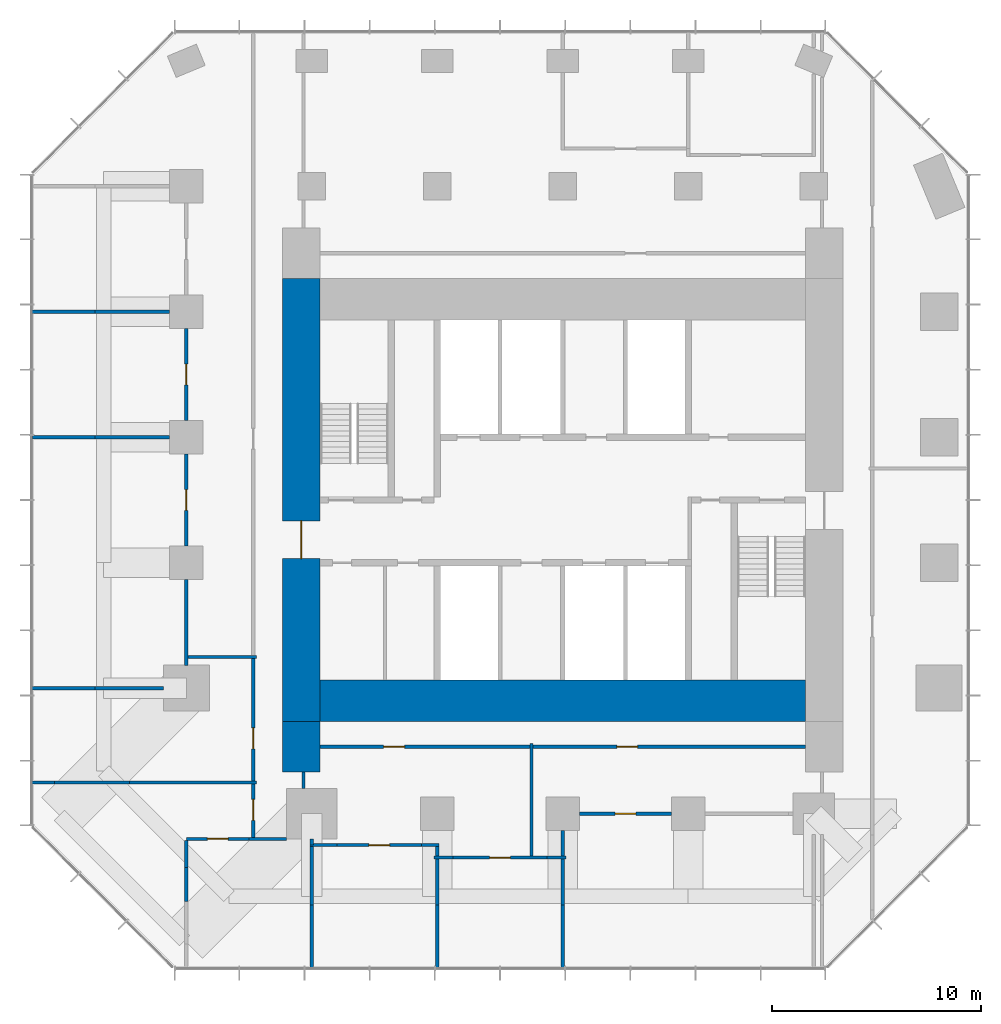
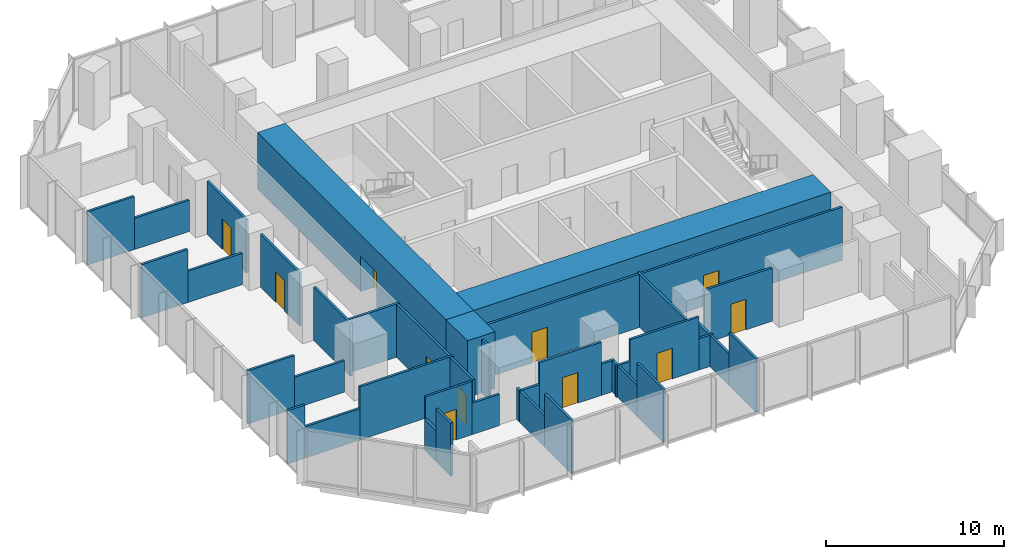
# One storey, part 8 of 11: 42 walls, 11 doors, 11 openings.
"""IFC4 building model written with IfcOpenShell, lengths in metres."""

from ifc_helpers import new_model, si_unit, direction, frame, frame_2d, origin, place, context, subcontext, project, spatial, rectangle, extrude, material, layer, layer_set, type_object, element, fill, save


model = new_model("IFC4")

# Units and contexts
model_context = context("Model", 3, precision=1e-05, world=origin(), true_north=direction((0.0, 1.0)))
body_context = subcontext(model_context, "Body", "Model", "MODEL_VIEW")
ifc_project = project(units=[si_unit("LENGTHUNIT", "METRE"), si_unit("AREAUNIT", "SQUARE_METRE"), si_unit("VOLUMEUNIT", "CUBIC_METRE"), si_unit("PLANEANGLEUNIT", "RADIAN"), si_unit("MASSUNIT", "GRAM", prefix="KILO")], contexts=[model_context])

# Site, building, storey
site_placement = place(None, origin())
site = spatial("IfcSite", under=ifc_project, at=site_placement, CompositionType="ELEMENT")
building_placement = place(site_placement, origin())
building = spatial("IfcBuilding", under=site, at=building_placement, Name="Highveld Stack Headquarters", CompositionType="ELEMENT")
storey_placement = place(building_placement, frame((0.0, 0.0, 235.699951171875)))
storey = spatial("IfcBuildingStorey", under=building, at=storey_placement, Name="L58", CompositionType="ELEMENT", Elevation=235.699951171875)

# Wall, opening, door
ifc_material_1 = material(Name="Concrete C60/75", Category="concrete")
ifc_layer_1 = layer(ifc_material_1, 1.800048828125)
ifc_layer_set_1 = layer_set([ifc_layer_1], Name="Concrete C60/75")
wall_type_1 = type_object("IfcWallType", Name="CORE WALL 1800 C60/75", PredefinedType="SHEAR", material=ifc_layer_set_1)
wall_1_placement = place(storey_placement, frame((-6.5, -7.60009765625, 0.0), z_axis=(0.0, 0.0, 1.0), x_axis=(0.0, 1.0, 0.0)))
wall_1 = element("IfcWall", 1, at=wall_1_placement, inside=storey, type_object=wall_type_1, Name="Core wall W L58", PredefinedType="SHEAR", context=body_context, shape_type="SweptSolid", body=[
    extrude(rectangle(XDim=21.2001953125, YDim=1.800048828125, at=frame_2d((10.60009765625, 0.0))), origin(), (0.0, 0.0, 1.0), 3.900146484375),
])
opening_1_placement = place(wall_1_placement, frame((7.800048828125, 0.0, 0.0)))
opening_1 = element("IfcOpeningElement", 2, at=opening_1_placement, cuts=wall_1, Name="Opening L58-01", PredefinedType="OPENING", context=body_context, shape_type="SweptSolid", body=[
    extrude(rectangle(XDim=1.800048828125, YDim=2.39990234375, at=frame_2d((0.89990234375, 1.199951171875))), frame((0.0, 0.909912109375, 0.0), z_axis=(0.0, -1.0, 0.0), x_axis=(1.0, 0.0, 0.0)), (0.0, 0.0, 1.0), 1.820068359375),
])
ifc_material_2 = material(Name="Steel fire door", Category="steel")
door_type_1 = type_object("IfcDoorType", Name="LOBBY FIRE DOOR D4 1800x2400", OperationType="DOUBLE_DOOR_SINGLE_SWING", PredefinedType="DOOR", material=ifc_material_2)
door_1_placement = place(opening_1_placement, origin())
door_1 = element("IfcDoor", 3, at=door_1_placement, inside=storey, type_object=door_type_1, Name="Core west door L58", OperationType="DOUBLE_DOOR_SINGLE_SWING", OverallHeight=2.39990234375, OverallWidth=1.800048828125, PredefinedType="DOOR", context=body_context, shape_type="SweptSolid", body=[
    extrude(rectangle(XDim=1.800048828125, YDim=2.39990234375, at=frame_2d((0.89990234375, 1.199951171875))), frame((0.0, 0.02490234375, 0.0), z_axis=(0.0, -1.0, 0.0), x_axis=(1.0, 0.0, 0.0)), (0.0, 0.0, 1.0), 0.050048828125),
])
fill(opening_1, door_1)

# Walls
ifc_material_3 = material(Name="Concrete C60/75", Category="concrete")
ifc_layer_2 = layer(ifc_material_3, 2.0)
ifc_layer_set_2 = layer_set([ifc_layer_2], Name="Concrete C60/75")
wall_type_2 = type_object("IfcWallType", Name="CORE WALL 2000 C60/75", PredefinedType="SHEAR", material=ifc_layer_set_2)
wall_2_placement = place(storey_placement, frame((-5.60009765625, -6.60009765625, 0.0), z_axis=(0.0, 0.0, 1.0), x_axis=(1.0, 0.0, 0.0)))
element("IfcWall", 4, at=wall_2_placement, inside=storey, type_object=wall_type_2, Name="Core wall S L58", PredefinedType="SHEAR", context=body_context, shape_type="SweptSolid", body=[
    extrude(rectangle(XDim=23.2001953125, YDim=2.0, at=frame_2d((11.60009765625, 0.0))), origin(), (0.0, 0.0, 1.0), 3.900146484375),
])
ifc_material_4 = material(Name="Concrete C60/75", Category="concrete")
ifc_layer_3 = layer(ifc_material_4, 1.800048828125)
ifc_layer_set_3 = layer_set([ifc_layer_3], Name="Concrete C60/75")
wall_type_3 = type_object("IfcWallType", Name="CORE WING WALL 1800 C60/75", PredefinedType="SHEAR", material=ifc_layer_set_3)
wall_3_placement = place(storey_placement, frame((-6.5, -10.0, 0.0), z_axis=(0.0, 0.0, 1.0), x_axis=(0.0, 1.0, 0.0)))
element("IfcWall", 5, at=wall_3_placement, inside=storey, type_object=wall_type_3, Name="Core wing wall WS L58", PredefinedType="SHEAR", context=body_context, shape_type="SweptSolid", body=[
    extrude(rectangle(XDim=2.39990234375, YDim=1.800048828125, at=frame_2d((1.199951171875, 0.0))), origin(), (0.0, 0.0, 1.0), 3.900146484375),
])

# Wall, opening, door
ifc_material_5 = material(Name="Laminated glass in aluminium frame", Category="aluminium")
ifc_layer_4 = layer(ifc_material_5, 0.14990234375)
ifc_layer_set_4 = layer_set([ifc_layer_4], Name="Laminated glass in aluminium frame")
wall_type_4 = type_object("IfcWallType", Name="GLAZED PARTITION 150", PredefinedType="PARTITIONING", material=ifc_layer_set_4)
wall_4_placement = place(storey_placement, frame((-12.0, 6.800048828125, 0.0), z_axis=(0.0, 0.0, 1.0), x_axis=(0.0, 1.0, 0.0)))
wall_4 = element("IfcWall", 6, at=wall_4_placement, inside=storey, type_object=wall_type_4, Name="Glazed partition Meeting room L58", PredefinedType="PARTITIONING", context=body_context, shape_type="SweptSolid", body=[
    extrude(rectangle(XDim=4.39990234375, YDim=0.14990234375, at=frame_2d((2.199951171875, 0.0))), origin(), (0.0, 0.0, 1.0), 3.650146484375),
])
opening_2_placement = place(wall_4_placement, frame((1.699951171875, 0.0, 0.0)))
opening_2 = element("IfcOpeningElement", 7, at=opening_2_placement, cuts=wall_4, Name="Opening L58-17", PredefinedType="OPENING", context=body_context, shape_type="SweptSolid", body=[
    extrude(rectangle(XDim=1.0, YDim=2.10009765625, at=frame_2d((0.5, 1.050048828125))), frame((0.0, 0.0849609375, 0.0), z_axis=(0.0, -1.0, 0.0), x_axis=(1.0, 0.0, 0.0)), (0.0, 0.0, 1.0), 0.169921875),
])
ifc_material_6 = material(Name="Timber door, oiled ash", Category="wood")
door_type_2 = type_object("IfcDoorType", Name="ROOM DOOR D6 1000x2100", OperationType="SINGLE_SWING_LEFT", PredefinedType="DOOR", material=ifc_material_6)
door_2_placement = place(opening_2_placement, origin())
door_2 = element("IfcDoor", 8, at=door_2_placement, inside=storey, type_object=door_type_2, Name="Meeting room door 1 L58", OperationType="SINGLE_SWING_LEFT", OverallHeight=2.10009765625, OverallWidth=1.0, PredefinedType="DOOR", context=body_context, shape_type="SweptSolid", body=[
    extrude(rectangle(XDim=1.0, YDim=2.10009765625, at=frame_2d((0.5, 1.050048828125))), frame((0.0, 0.02490234375, 0.0), z_axis=(0.0, -1.0, 0.0), x_axis=(1.0, 0.0, 0.0)), (0.0, 0.0, 1.0), 0.050048828125),
])
fill(opening_2, door_2)

# Wall
ifc_material_7 = material(Name="Gypsum plasterboard on steel studs", Category="steel")
ifc_layer_5 = layer(ifc_material_7, 0.14990234375)
ifc_layer_set_5 = layer_set([ifc_layer_5], Name="Gypsum plasterboard on steel studs")
wall_type_5 = type_object("IfcWallType", Name="PARTITION 150 PLASTERBOARD", PredefinedType="PARTITIONING", material=ifc_layer_set_5)
wall_5_placement = place(storey_placement, frame((-0.14990234375, -14.10009765625, 0.0), z_axis=(0.0, 0.0, 1.0), x_axis=(1.0, 0.0, 0.0)))
element("IfcWall", 9, at=wall_5_placement, inside=storey, type_object=wall_type_5, Name="Partition Focus room L58", PredefinedType="PARTITIONING", context=body_context, shape_type="SweptSolid", body=[
    extrude(rectangle(XDim=0.909912109375, YDim=0.14990234375, at=frame_2d((0.455078125, 0.0))), origin(), (0.0, 0.0, 1.0), 2.150146484375),
])

# Wall, opening, door
wall_6_placement = place(storey_placement, frame((0.760009765625, -14.10009765625, 0.0), z_axis=(0.0, 0.0, 1.0), x_axis=(1.0, 0.0, 0.0)))
wall_6 = element("IfcWall", 10, at=wall_6_placement, inside=storey, type_object=wall_type_5, Name="Partition Focus room L58", PredefinedType="PARTITIONING", context=body_context, shape_type="SweptSolid", body=[
    extrude(rectangle(XDim=4.47998046875, YDim=0.14990234375, at=frame_2d((2.239990234375, 0.0))), origin(), (0.0, 0.0, 1.0), 3.650146484375),
])
opening_3_placement = place(wall_6_placement, frame((1.739990234375, 0.0, 0.0)))
opening_3 = element("IfcOpeningElement", 11, at=opening_3_placement, cuts=wall_6, Name="Opening L58-14", PredefinedType="OPENING", context=body_context, shape_type="SweptSolid", body=[
    extrude(rectangle(XDim=1.0, YDim=2.10009765625, at=frame_2d((0.5, 1.050048828125))), frame((0.0, 0.0849609375, 0.0), z_axis=(0.0, -1.0, 0.0), x_axis=(1.0, 0.0, 0.0)), (0.0, 0.0, 1.0), 0.169921875),
])
door_3_placement = place(opening_3_placement, origin())
door_3 = element("IfcDoor", 12, at=door_3_placement, inside=storey, type_object=door_type_2, Name="Focus room door 1 L58", OperationType="SINGLE_SWING_RIGHT", OverallHeight=2.10009765625, OverallWidth=1.0, PredefinedType="DOOR", context=body_context, shape_type="SweptSolid", body=[
    extrude(rectangle(XDim=1.0, YDim=2.10009765625, at=frame_2d((0.5, 1.050048828125))), frame((0.0, 0.02490234375, 0.0), z_axis=(0.0, -1.0, 0.0), x_axis=(1.0, 0.0, 0.0)), (0.0, 0.0, 1.0), 0.050048828125),
])
fill(opening_3, door_3)

# Walls
wall_7_placement = place(storey_placement, frame((5.239990234375, -14.10009765625, 0.0), z_axis=(0.0, 0.0, 1.0), x_axis=(1.0, 0.0, 0.0)))
element("IfcWall", 13, at=wall_7_placement, inside=storey, type_object=wall_type_5, Name="Partition Focus room L58", PredefinedType="PARTITIONING", context=body_context, shape_type="SweptSolid", body=[
    extrude(rectangle(XDim=0.909912109375, YDim=0.14990234375, at=frame_2d((0.455078125, 0.0))), origin(), (0.0, 0.0, 1.0), 2.150146484375),
])
wall_8_placement = place(storey_placement, frame((-6.074951171875, -13.5, 0.0), z_axis=(0.0, 0.0, 1.0), x_axis=(1.0, 0.0, 0.0)))
element("IfcWall", 14, at=wall_8_placement, inside=storey, type_object=wall_type_5, Name="Partition Quiet room L58", PredefinedType="PARTITIONING", context=body_context, shape_type="SweptSolid", body=[
    extrude(rectangle(XDim=1.284912109375, YDim=0.14990234375, at=frame_2d((0.642578125, 0.0))), origin(), (0.0, 0.0, 1.0), 2.150146484375),
])

# Wall, opening, door
wall_9_placement = place(storey_placement, frame((-4.7900390625, -13.5, 0.0), z_axis=(0.0, 0.0, 1.0), x_axis=(1.0, 0.0, 0.0)))
wall_9 = element("IfcWall", 15, at=wall_9_placement, inside=storey, type_object=wall_type_5, Name="Partition Quiet room L58", PredefinedType="PARTITIONING", context=body_context, shape_type="SweptSolid", body=[
    extrude(rectangle(XDim=4.030029296875, YDim=0.14990234375, at=frame_2d((2.01513671875, 0.0))), origin(), (0.0, 0.0, 1.0), 3.650146484375),
])
opening_4_placement = place(wall_9_placement, frame((1.514892578125, 0.0, 0.0)))
opening_4 = element("IfcOpeningElement", 16, at=opening_4_placement, cuts=wall_9, Name="Opening L58-13", PredefinedType="OPENING", context=body_context, shape_type="SweptSolid", body=[
    extrude(rectangle(XDim=1.0, YDim=2.10009765625, at=frame_2d((0.5, 1.050048828125))), frame((0.0, 0.0849609375, 0.0), z_axis=(0.0, -1.0, 0.0), x_axis=(1.0, 0.0, 0.0)), (0.0, 0.0, 1.0), 0.169921875),
])
door_4_placement = place(opening_4_placement, origin())
door_4 = element("IfcDoor", 17, at=door_4_placement, inside=storey, type_object=door_type_2, Name="Quiet room door 1 L58", OperationType="SINGLE_SWING_RIGHT", OverallHeight=2.10009765625, OverallWidth=1.0, PredefinedType="DOOR", context=body_context, shape_type="SweptSolid", body=[
    extrude(rectangle(XDim=1.0, YDim=2.10009765625, at=frame_2d((0.5, 1.050048828125))), frame((0.0, 0.02490234375, 0.0), z_axis=(0.0, -1.0, 0.0), x_axis=(1.0, 0.0, 0.0)), (0.0, 0.0, 1.0), 0.050048828125),
])
fill(opening_4, door_4)

# Wall
wall_10_placement = place(storey_placement, frame((-0.760009765625, -13.5, 0.0), z_axis=(0.0, 0.0, 1.0), x_axis=(1.0, 0.0, 0.0)))
element("IfcWall", 18, at=wall_10_placement, inside=storey, type_object=wall_type_5, Name="Partition Quiet room L58", PredefinedType="PARTITIONING", context=body_context, shape_type="SweptSolid", body=[
    extrude(rectangle(XDim=0.8349609375, YDim=0.14990234375, at=frame_2d((0.41748046875, 0.0))), origin(), (0.0, 0.0, 1.0), 2.150146484375),
])

# Wall, opening, door
wall_11_placement = place(storey_placement, frame((-12.0, -13.199951171875, 0.0), z_axis=(0.0, 0.0, 1.0), x_axis=(1.0, 0.0, 0.0)))
wall_11 = element("IfcWall", 19, at=wall_11_placement, inside=storey, type_object=wall_type_5, Name="Partition Tea kitchen L58", PredefinedType="PARTITIONING", context=body_context, shape_type="SweptSolid", body=[
    extrude(rectangle(XDim=3.0078125, YDim=0.14990234375, at=frame_2d((1.50390625, 0.0))), origin(), (0.0, 0.0, 1.0), 3.650146484375),
])
opening_5_placement = place(wall_11_placement, frame((1.00390625, 0.0, 0.0)))
opening_5 = element("IfcOpeningElement", 20, at=opening_5_placement, cuts=wall_11, Name="Opening L58-12", PredefinedType="OPENING", context=body_context, shape_type="SweptSolid", body=[
    extrude(rectangle(XDim=1.0, YDim=2.10009765625, at=frame_2d((0.5, 1.050048828125))), frame((0.0, 0.0849609375, 0.0), z_axis=(0.0, -1.0, 0.0), x_axis=(1.0, 0.0, 0.0)), (0.0, 0.0, 1.0), 0.169921875),
])
door_5_placement = place(opening_5_placement, origin())
door_5 = element("IfcDoor", 21, at=door_5_placement, inside=storey, type_object=door_type_2, Name="Tea kitchen door 1 L58", OperationType="SINGLE_SWING_LEFT", OverallHeight=2.10009765625, OverallWidth=1.0, PredefinedType="DOOR", context=body_context, shape_type="SweptSolid", body=[
    extrude(rectangle(XDim=1.0, YDim=2.10009765625, at=frame_2d((0.5, 1.050048828125))), frame((0.0, 0.02490234375, 0.0), z_axis=(0.0, -1.0, 0.0), x_axis=(1.0, 0.0, 0.0)), (0.0, 0.0, 1.0), 0.050048828125),
])
fill(opening_5, door_5)

# Wall
wall_12_placement = place(storey_placement, frame((-8.9921875, -13.199951171875, 0.0), z_axis=(0.0, 0.0, 1.0), x_axis=(1.0, 0.0, 0.0)))
element("IfcWall", 22, at=wall_12_placement, inside=storey, type_object=wall_type_5, Name="Partition Tea kitchen L58", PredefinedType="PARTITIONING", context=body_context, shape_type="SweptSolid", body=[
    extrude(rectangle(XDim=1.792236328125, YDim=0.14990234375, at=frame_2d((0.89599609375, 0.0))), origin(), (0.0, 0.0, 1.0), 2.150146484375),
])

# Wall, opening, door
wall_13_placement = place(storey_placement, frame((6.800048828125, -12.0, 0.0), z_axis=(0.0, 0.0, 1.0), x_axis=(1.0, 0.0, 0.0)))
wall_13 = element("IfcWall", 23, at=wall_13_placement, inside=storey, type_object=wall_type_5, Name="Partition Team office L58", PredefinedType="PARTITIONING", context=body_context, shape_type="SweptSolid", body=[
    extrude(rectangle(XDim=4.39990234375, YDim=0.14990234375, at=frame_2d((2.199951171875, 0.0))), origin(), (0.0, 0.0, 1.0), 3.650146484375),
])
opening_6_placement = place(wall_13_placement, frame((1.699951171875, 0.0, 0.0)))
opening_6 = element("IfcOpeningElement", 24, at=opening_6_placement, cuts=wall_13, Name="Opening L58-15", PredefinedType="OPENING", context=body_context, shape_type="SweptSolid", body=[
    extrude(rectangle(XDim=1.0, YDim=2.10009765625, at=frame_2d((0.5, 1.050048828125))), frame((0.0, 0.0849609375, 0.0), z_axis=(0.0, -1.0, 0.0), x_axis=(1.0, 0.0, 0.0)), (0.0, 0.0, 1.0), 0.169921875),
])
door_6_placement = place(opening_6_placement, origin())
door_6 = element("IfcDoor", 25, at=door_6_placement, inside=storey, type_object=door_type_2, Name="Team office door 1 L58", OperationType="SINGLE_SWING_LEFT", OverallHeight=2.10009765625, OverallWidth=1.0, PredefinedType="DOOR", context=body_context, shape_type="SweptSolid", body=[
    extrude(rectangle(XDim=1.0, YDim=2.10009765625, at=frame_2d((0.5, 1.050048828125))), frame((0.0, 0.02490234375, 0.0), z_axis=(0.0, -1.0, 0.0), x_axis=(1.0, 0.0, 0.0)), (0.0, 0.0, 1.0), 0.050048828125),
])
fill(opening_6, door_6)

# Walls
wall_14_placement = place(storey_placement, frame((-19.39990234375, -6.0, 0.0), z_axis=(0.0, 0.0, 1.0), x_axis=(1.0, 0.0, 0.0)))
element("IfcWall", 26, at=wall_14_placement, inside=storey, type_object=wall_type_5, Name="Partition Team office L58", PredefinedType="PARTITIONING", context=body_context, shape_type="SweptSolid", body=[
    extrude(rectangle(XDim=3.039794921875, YDim=0.14990234375, at=frame_2d((1.52001953125, 0.0))), origin(), (0.0, 0.0, 1.0), 3.650146484375),
])
wall_15_placement = place(storey_placement, frame((-16.360107421875, -6.0, 0.0), z_axis=(0.0, 0.0, 1.0), x_axis=(1.0, 0.0, 0.0)))
element("IfcWall", 27, at=wall_15_placement, inside=storey, type_object=wall_type_5, Name="Partition Team office L58", PredefinedType="PARTITIONING", context=body_context, shape_type="SweptSolid", body=[
    extrude(rectangle(XDim=3.260009765625, YDim=0.14990234375, at=frame_2d((1.6298828125, 0.0))), origin(), (0.0, 0.0, 1.0), 2.150146484375),
])
wall_16_placement = place(storey_placement, frame((-19.35009765625, 6.0, 0.0), z_axis=(0.0, 0.0, 1.0), x_axis=(1.0, 0.0, 0.0)))
element("IfcWall", 28, at=wall_16_placement, inside=storey, type_object=wall_type_5, Name="Partition Meeting room / Team office L58", PredefinedType="PARTITIONING", context=body_context, shape_type="SweptSolid", body=[
    extrude(rectangle(XDim=2.989990234375, YDim=0.14990234375, at=frame_2d((1.4951171875, 0.0))), origin(), (0.0, 0.0, 1.0), 3.650146484375),
])
wall_17_placement = place(storey_placement, frame((-16.360107421875, 6.0, 0.0), z_axis=(0.0, 0.0, 1.0), x_axis=(1.0, 0.0, 0.0)))
element("IfcWall", 29, at=wall_17_placement, inside=storey, type_object=wall_type_5, Name="Partition Meeting room / Team office L58", PredefinedType="PARTITIONING", context=body_context, shape_type="SweptSolid", body=[
    extrude(rectangle(XDim=3.56005859375, YDim=0.14990234375, at=frame_2d((1.780029296875, 0.0))), origin(), (0.0, 0.0, 1.0), 2.150146484375),
])
wall_18_placement = place(storey_placement, frame((-19.39990234375, 12.0, 0.0), z_axis=(0.0, 0.0, 1.0), x_axis=(1.0, 0.0, 0.0)))
element("IfcWall", 30, at=wall_18_placement, inside=storey, type_object=wall_type_5, Name="Partition Meeting room / Office L58", PredefinedType="PARTITIONING", context=body_context, shape_type="SweptSolid", body=[
    extrude(rectangle(XDim=3.039794921875, YDim=0.14990234375, at=frame_2d((1.52001953125, 0.0))), origin(), (0.0, 0.0, 1.0), 3.650146484375),
])
wall_19_placement = place(storey_placement, frame((-16.360107421875, 12.0, 0.0), z_axis=(0.0, 0.0, 1.0), x_axis=(1.0, 0.0, 0.0)))
element("IfcWall", 31, at=wall_19_placement, inside=storey, type_object=wall_type_5, Name="Partition Meeting room / Office L58", PredefinedType="PARTITIONING", context=body_context, shape_type="SweptSolid", body=[
    extrude(rectangle(XDim=3.56005859375, YDim=0.14990234375, at=frame_2d((1.780029296875, 0.0))), origin(), (0.0, 0.0, 1.0), 2.150146484375),
])
wall_20_placement = place(storey_placement, frame((-12.0, -16.2080078125, 0.0), z_axis=(0.0, 0.0, 1.0), x_axis=(0.0, 1.0, 0.0)))
element("IfcWall", 32, at=wall_20_placement, inside=storey, type_object=wall_type_5, Name="Partition Tea kitchen L58", PredefinedType="PARTITIONING", context=body_context, shape_type="SweptSolid", body=[
    extrude(rectangle(XDim=1.647216796875, YDim=0.14990234375, at=frame_2d((0.82373046875, 0.0))), origin(), (0.0, 0.0, 1.0), 3.650146484375),
])
wall_21_placement = place(storey_placement, frame((-12.0, -14.560791015625, 0.0), z_axis=(0.0, 0.0, 1.0), x_axis=(0.0, 1.0, 0.0)))
element("IfcWall", 33, at=wall_21_placement, inside=storey, type_object=wall_type_5, Name="Partition Tea kitchen L58", PredefinedType="PARTITIONING", context=body_context, shape_type="SweptSolid", body=[
    extrude(rectangle(XDim=1.285888671875, YDim=0.14990234375, at=frame_2d((0.64306640625, 0.0))), origin(), (0.0, 0.0, 1.0), 2.150146484375),
])
wall_22_placement = place(storey_placement, frame((-12.0, -4.9150390625, 0.0), z_axis=(0.0, 0.0, 1.0), x_axis=(0.0, 1.0, 0.0)))
element("IfcWall", 34, at=wall_22_placement, inside=storey, type_object=wall_type_5, Name="Partition Team office L58", PredefinedType="PARTITIONING", context=body_context, shape_type="SweptSolid", body=[
    extrude(rectangle(XDim=4.114990234375, YDim=0.14990234375, at=frame_2d((2.0576171875, 0.0))), origin(), (0.0, 0.0, 1.0), 3.650146484375),
])

# Wall, opening, door
wall_23_placement = place(storey_placement, frame((-12.0, 0.800048828125, 0.0), z_axis=(0.0, 0.0, 1.0), x_axis=(0.0, 1.0, 0.0)))
wall_23 = element("IfcWall", 35, at=wall_23_placement, inside=storey, type_object=wall_type_5, Name="Partition Team office L58", PredefinedType="PARTITIONING", context=body_context, shape_type="SweptSolid", body=[
    extrude(rectangle(XDim=4.39990234375, YDim=0.14990234375, at=frame_2d((2.199951171875, 0.0))), origin(), (0.0, 0.0, 1.0), 3.650146484375),
])
opening_7_placement = place(wall_23_placement, frame((1.699951171875, 0.0, 0.0)))
opening_7 = element("IfcOpeningElement", 36, at=opening_7_placement, cuts=wall_23, Name="Opening L58-16", PredefinedType="OPENING", context=body_context, shape_type="SweptSolid", body=[
    extrude(rectangle(XDim=1.0, YDim=2.10009765625, at=frame_2d((0.5, 1.050048828125))), frame((0.0, 0.0849609375, 0.0), z_axis=(0.0, -1.0, 0.0), x_axis=(1.0, 0.0, 0.0)), (0.0, 0.0, 1.0), 0.169921875),
])
door_7_placement = place(opening_7_placement, origin())
door_7 = element("IfcDoor", 37, at=door_7_placement, inside=storey, type_object=door_type_2, Name="Team office door 1 L58", OperationType="SINGLE_SWING_LEFT", OverallHeight=2.10009765625, OverallWidth=1.0, PredefinedType="DOOR", context=body_context, shape_type="SweptSolid", body=[
    extrude(rectangle(XDim=1.0, YDim=2.10009765625, at=frame_2d((0.5, 1.050048828125))), frame((0.0, 0.02490234375, 0.0), z_axis=(0.0, -1.0, 0.0), x_axis=(1.0, 0.0, 0.0)), (0.0, 0.0, 1.0), 0.050048828125),
])
fill(opening_7, door_7)

# Walls
wall_24_placement = place(storey_placement, frame((-6.0, -19.39990234375, 0.0), z_axis=(0.0, 0.0, 1.0), x_axis=(0.0, 1.0, 0.0)))
element("IfcWall", 38, at=wall_24_placement, inside=storey, type_object=wall_type_5, Name="Partition Quiet room / Tea kitchen L58", PredefinedType="PARTITIONING", context=body_context, shape_type="SweptSolid", body=[
    extrude(rectangle(XDim=3.039794921875, YDim=0.14990234375, at=frame_2d((1.52001953125, 0.0))), origin(), (0.0, 0.0, 1.0), 3.650146484375),
])
wall_25_placement = place(storey_placement, frame((-6.0, -16.360107421875, 0.0), z_axis=(0.0, 0.0, 1.0), x_axis=(0.0, 1.0, 0.0)))
element("IfcWall", 39, at=wall_25_placement, inside=storey, type_object=wall_type_5, Name="Partition Quiet room / Tea kitchen L58", PredefinedType="PARTITIONING", context=body_context, shape_type="SweptSolid", body=[
    extrude(rectangle(XDim=2.78515625, YDim=0.14990234375, at=frame_2d((1.392578125, 0.0))), origin(), (0.0, 0.0, 1.0), 2.150146484375),
])
wall_26_placement = place(storey_placement, frame((-6.0, -13.5, 0.0), z_axis=(0.0, 0.0, 1.0), x_axis=(0.0, 1.0, 0.0)))
element("IfcWall", 40, at=wall_26_placement, inside=storey, type_object=wall_type_5, Name="Partition Tea kitchen L58", PredefinedType="PARTITIONING", context=body_context, shape_type="SweptSolid", body=[
    extrude(rectangle(XDim=0.300048828125, YDim=0.14990234375, at=frame_2d((0.14990234375, 0.0))), origin(), (0.0, 0.0, 1.0), 2.150146484375),
])
wall_27_placement = place(storey_placement, frame((0.0, -19.35009765625, 0.0), z_axis=(0.0, 0.0, 1.0), x_axis=(0.0, 1.0, 0.0)))
element("IfcWall", 41, at=wall_27_placement, inside=storey, type_object=wall_type_5, Name="Partition Focus room / Quiet room L58", PredefinedType="PARTITIONING", context=body_context, shape_type="SweptSolid", body=[
    extrude(rectangle(XDim=2.989990234375, YDim=0.14990234375, at=frame_2d((1.4951171875, 0.0))), origin(), (0.0, 0.0, 1.0), 3.650146484375),
])
wall_28_placement = place(storey_placement, frame((0.0, -16.360107421875, 0.0), z_axis=(0.0, 0.0, 1.0), x_axis=(0.0, 1.0, 0.0)))
element("IfcWall", 42, at=wall_28_placement, inside=storey, type_object=wall_type_5, Name="Partition Focus room / Quiet room L58", PredefinedType="PARTITIONING", context=body_context, shape_type="SweptSolid", body=[
    extrude(rectangle(XDim=2.18505859375, YDim=0.14990234375, at=frame_2d((1.092529296875, 0.0))), origin(), (0.0, 0.0, 1.0), 2.150146484375),
])
wall_29_placement = place(storey_placement, frame((0.0, -14.02490234375, 0.0), z_axis=(0.0, 0.0, 1.0), x_axis=(0.0, 1.0, 0.0)))
element("IfcWall", 43, at=wall_29_placement, inside=storey, type_object=wall_type_5, Name="Partition Quiet room L58", PredefinedType="PARTITIONING", context=body_context, shape_type="SweptSolid", body=[
    extrude(rectangle(XDim=0.449951171875, YDim=0.14990234375, at=frame_2d((0.22509765625, 0.0))), origin(), (0.0, 0.0, 1.0), 2.150146484375),
])
wall_30_placement = place(storey_placement, frame((6.0, -19.35009765625, 0.0), z_axis=(0.0, 0.0, 1.0), x_axis=(0.0, 1.0, 0.0)))
element("IfcWall", 44, at=wall_30_placement, inside=storey, type_object=wall_type_5, Name="Partition Focus room / Team office L58", PredefinedType="PARTITIONING", context=body_context, shape_type="SweptSolid", body=[
    extrude(rectangle(XDim=2.989990234375, YDim=0.14990234375, at=frame_2d((1.4951171875, 0.0))), origin(), (0.0, 0.0, 1.0), 3.650146484375),
])
wall_31_placement = place(storey_placement, frame((6.0, -16.360107421875, 0.0), z_axis=(0.0, 0.0, 1.0), x_axis=(0.0, 1.0, 0.0)))
element("IfcWall", 45, at=wall_31_placement, inside=storey, type_object=wall_type_5, Name="Partition Focus room / Team office L58", PredefinedType="PARTITIONING", context=body_context, shape_type="SweptSolid", body=[
    extrude(rectangle(XDim=2.18505859375, YDim=0.14990234375, at=frame_2d((1.092529296875, 0.0))), origin(), (0.0, 0.0, 1.0), 2.150146484375),
])
wall_32_placement = place(storey_placement, frame((6.0, -14.02490234375, 0.0), z_axis=(0.0, 0.0, 1.0), x_axis=(0.0, 1.0, 0.0)))
element("IfcWall", 46, at=wall_32_placement, inside=storey, type_object=wall_type_5, Name="Partition Team office L58", PredefinedType="PARTITIONING", context=body_context, shape_type="SweptSolid", body=[
    extrude(rectangle(XDim=1.224853515625, YDim=0.14990234375, at=frame_2d((0.6123046875, 0.0))), origin(), (0.0, 0.0, 1.0), 2.150146484375),
])
wall_33_placement = place(storey_placement, frame((-19.39990234375, -10.5, 0.0), z_axis=(0.0, 0.0, 1.0), x_axis=(1.0, 0.0, 0.0)))
element("IfcWall", 47, at=wall_33_placement, inside=storey, type_object=wall_type_5, Name="Partition office neighbourhood L58", PredefinedType="PARTITIONING", context=body_context, shape_type="SweptSolid", body=[
    extrude(rectangle(XDim=1.10791015625, YDim=0.14990234375, at=frame_2d((0.553955078125, 0.0))), origin(), (0.0, 0.0, 1.0), 3.650146484375),
])
wall_34_placement = place(storey_placement, frame((-18.2919921875, -10.5, 0.0), z_axis=(0.0, 0.0, 1.0), x_axis=(1.0, 0.0, 0.0)))
element("IfcWall", 48, at=wall_34_placement, inside=storey, type_object=wall_type_5, Name="Partition office neighbourhood L58", PredefinedType="PARTITIONING", context=body_context, shape_type="SweptSolid", body=[
    extrude(rectangle(XDim=3.583984375, YDim=0.14990234375, at=frame_2d((1.7919921875, 0.0))), origin(), (0.0, 0.0, 1.0), 2.150146484375),
])
wall_35_placement = place(storey_placement, frame((-14.7080078125, -10.5, 0.0), z_axis=(0.0, 0.0, 1.0), x_axis=(1.0, 0.0, 0.0)))
element("IfcWall", 49, at=wall_35_placement, inside=storey, type_object=wall_type_5, Name="Partition office neighbourhood L58", PredefinedType="PARTITIONING", context=body_context, shape_type="SweptSolid", body=[
    extrude(rectangle(XDim=6.05810546875, YDim=0.14990234375, at=frame_2d((3.029052734375, 0.0))), origin(), (0.0, 0.0, 1.0), 3.650146484375),
])
wall_36_placement = place(storey_placement, frame((-11.925048828125, -4.5, 0.0), z_axis=(0.0, 0.0, 1.0), x_axis=(1.0, 0.0, 0.0)))
element("IfcWall", 50, at=wall_36_placement, inside=storey, type_object=wall_type_5, Name="Partition office neighbourhood L58", PredefinedType="PARTITIONING", context=body_context, shape_type="SweptSolid", body=[
    extrude(rectangle(XDim=3.275146484375, YDim=0.14990234375, at=frame_2d((1.6376953125, 0.0))), origin(), (0.0, 0.0, 1.0), 3.650146484375),
])

# Wall, opening, door
wall_37_placement = place(storey_placement, frame((-8.800048828125, -13.1328125, 0.0), z_axis=(0.0, 0.0, 1.0), x_axis=(0.0, 1.0, 0.0)))
wall_37 = element("IfcWall", 51, at=wall_37_placement, inside=storey, type_object=wall_type_5, Name="Partition office neighbourhood L58", PredefinedType="PARTITIONING", context=body_context, shape_type="SweptSolid", body=[
    extrude(rectangle(XDim=2.557861328125, YDim=0.14990234375, at=frame_2d((1.27880859375, 0.0))), origin(), (0.0, 0.0, 1.0), 3.650146484375),
])
opening_8_placement = place(wall_37_placement, frame((0.81982421875, 0.0, 0.0)))
opening_8 = element("IfcOpeningElement", 52, at=opening_8_placement, cuts=wall_37, Name="Opening L58-21", PredefinedType="OPENING", context=body_context, shape_type="SweptSolid", body=[
    extrude(rectangle(XDim=1.0, YDim=2.10009765625, at=frame_2d((0.5, 1.050048828125))), frame((0.0, 0.0849609375, 0.0), z_axis=(0.0, -1.0, 0.0), x_axis=(1.0, 0.0, 0.0)), (0.0, 0.0, 1.0), 0.169921875),
])
door_8_placement = place(opening_8_placement, origin())
door_8 = element("IfcDoor", 53, at=door_8_placement, inside=storey, type_object=door_type_2, Name="Office neighbourhood door L58", OperationType="SINGLE_SWING_RIGHT", OverallHeight=2.10009765625, OverallWidth=1.0, PredefinedType="DOOR", context=body_context, shape_type="SweptSolid", body=[
    extrude(rectangle(XDim=1.0, YDim=2.10009765625, at=frame_2d((0.5, 1.050048828125))), frame((0.0, 0.02490234375, 0.0), z_axis=(0.0, -1.0, 0.0), x_axis=(1.0, 0.0, 0.0)), (0.0, 0.0, 1.0), 0.050048828125),
])
fill(opening_8, door_8)

wall_38_placement = place(storey_placement, frame((-8.800048828125, -10.425048828125, 0.0), z_axis=(0.0, 0.0, 1.0), x_axis=(0.0, 1.0, 0.0)))
wall_38 = element("IfcWall", 54, at=wall_38_placement, inside=storey, type_object=wall_type_5, Name="Partition office neighbourhood L58", PredefinedType="PARTITIONING", context=body_context, shape_type="SweptSolid", body=[
    extrude(rectangle(XDim=5.85009765625, YDim=0.14990234375, at=frame_2d((2.925048828125, 0.0))), origin(), (0.0, 0.0, 1.0), 3.650146484375),
])
opening_9_placement = place(wall_38_placement, frame((1.52490234375, 0.0, 0.0)))
opening_9 = element("IfcOpeningElement", 55, at=opening_9_placement, cuts=wall_38, Name="Opening L58-24", PredefinedType="OPENING", context=body_context, shape_type="SweptSolid", body=[
    extrude(rectangle(XDim=1.0, YDim=2.10009765625, at=frame_2d((0.5, 1.050048828125))), frame((0.0, 0.0849609375, 0.0), z_axis=(0.0, -1.0, 0.0), x_axis=(1.0, 0.0, 0.0)), (0.0, 0.0, 1.0), 0.169921875),
])
door_9_placement = place(opening_9_placement, origin())
door_9 = element("IfcDoor", 56, at=door_9_placement, inside=storey, type_object=door_type_2, Name="Office neighbourhood door L58", OperationType="SINGLE_SWING_LEFT", OverallHeight=2.10009765625, OverallWidth=1.0, PredefinedType="DOOR", context=body_context, shape_type="SweptSolid", body=[
    extrude(rectangle(XDim=1.0, YDim=2.10009765625, at=frame_2d((0.5, 1.050048828125))), frame((0.0, 0.02490234375, 0.0), z_axis=(0.0, -1.0, 0.0), x_axis=(1.0, 0.0, 0.0)), (0.0, 0.0, 1.0), 0.050048828125),
])
fill(opening_9, door_9)

# Wall
wall_39_placement = place(storey_placement, frame((-6.39990234375, -10.800048828125, 0.0), z_axis=(0.0, 0.0, 1.0), x_axis=(0.0, 1.0, 0.0)))
element("IfcWall", 57, at=wall_39_placement, inside=storey, type_object=wall_type_5, Name="Partition office neighbourhood L58", PredefinedType="PARTITIONING", context=body_context, shape_type="SweptSolid", body=[
    extrude(rectangle(XDim=0.800048828125, YDim=0.14990234375, at=frame_2d((0.39990234375, 0.0))), origin(), (0.0, 0.0, 1.0), 3.650146484375),
])

# Wall, opening, door
wall_40_placement = place(storey_placement, frame((-5.60009765625, -8.800048828125, 0.0), z_axis=(0.0, 0.0, 1.0), x_axis=(1.0, 0.0, 0.0)))
wall_40 = element("IfcWall", 58, at=wall_40_placement, inside=storey, type_object=wall_type_5, Name="Partition office neighbourhood L58", PredefinedType="PARTITIONING", context=body_context, shape_type="SweptSolid", body=[
    extrude(rectangle(XDim=10.025146484375, YDim=0.14990234375, at=frame_2d((5.0126953125, 0.0))), origin(), (0.0, 0.0, 1.0), 3.650146484375),
])
opening_10_placement = place(wall_40_placement, frame((3.034912109375, 0.0, 0.0)))
opening_10 = element("IfcOpeningElement", 59, at=opening_10_placement, cuts=wall_40, Name="Opening L58-22", PredefinedType="OPENING", context=body_context, shape_type="SweptSolid", body=[
    extrude(rectangle(XDim=1.0, YDim=2.10009765625, at=frame_2d((0.5, 1.050048828125))), frame((0.0, 0.0849609375, 0.0), z_axis=(0.0, -1.0, 0.0), x_axis=(1.0, 0.0, 0.0)), (0.0, 0.0, 1.0), 0.169921875),
])
door_10_placement = place(opening_10_placement, origin())
door_10 = element("IfcDoor", 60, at=door_10_placement, inside=storey, type_object=door_type_2, Name="Office neighbourhood door L58", OperationType="SINGLE_SWING_LEFT", OverallHeight=2.10009765625, OverallWidth=1.0, PredefinedType="DOOR", context=body_context, shape_type="SweptSolid", body=[
    extrude(rectangle(XDim=1.0, YDim=2.10009765625, at=frame_2d((0.5, 1.050048828125))), frame((0.0, 0.02490234375, 0.0), z_axis=(0.0, -1.0, 0.0), x_axis=(1.0, 0.0, 0.0)), (0.0, 0.0, 1.0), 0.050048828125),
])
fill(opening_10, door_10)

# Wall
wall_41_placement = place(storey_placement, frame((4.5, -14.02490234375, 0.0), z_axis=(0.0, 0.0, 1.0), x_axis=(0.0, 1.0, 0.0)))
element("IfcWall", 61, at=wall_41_placement, inside=storey, type_object=wall_type_5, Name="Partition office neighbourhood L58", PredefinedType="PARTITIONING", context=body_context, shape_type="SweptSolid", body=[
    extrude(rectangle(XDim=5.375, YDim=0.14990234375, at=frame_2d((2.6875, 0.0))), origin(), (0.0, 0.0, 1.0), 3.650146484375),
])

# Wall, opening, door
wall_42_placement = place(storey_placement, frame((4.574951171875, -8.800048828125, 0.0), z_axis=(0.0, 0.0, 1.0), x_axis=(1.0, 0.0, 0.0)))
wall_42 = element("IfcWall", 62, at=wall_42_placement, inside=storey, type_object=wall_type_5, Name="Partition office neighbourhood L58", PredefinedType="PARTITIONING", context=body_context, shape_type="SweptSolid", body=[
    extrude(rectangle(XDim=13.025146484375, YDim=0.14990234375, at=frame_2d((6.5126953125, 0.0))), origin(), (0.0, 0.0, 1.0), 3.650146484375),
])
opening_11_placement = place(wall_42_placement, frame((4.010009765625, 0.0, 0.0)))
opening_11 = element("IfcOpeningElement", 63, at=opening_11_placement, cuts=wall_42, Name="Opening L58-23", PredefinedType="OPENING", context=body_context, shape_type="SweptSolid", body=[
    extrude(rectangle(XDim=1.0, YDim=2.10009765625, at=frame_2d((0.5, 1.050048828125))), frame((0.0, 0.0849609375, 0.0), z_axis=(0.0, -1.0, 0.0), x_axis=(1.0, 0.0, 0.0)), (0.0, 0.0, 1.0), 0.169921875),
])
door_11_placement = place(opening_11_placement, origin())
door_11 = element("IfcDoor", 64, at=door_11_placement, inside=storey, type_object=door_type_2, Name="Office neighbourhood door L58", OperationType="SINGLE_SWING_LEFT", OverallHeight=2.10009765625, OverallWidth=1.0, PredefinedType="DOOR", context=body_context, shape_type="SweptSolid", body=[
    extrude(rectangle(XDim=1.0, YDim=2.10009765625, at=frame_2d((0.5, 1.050048828125))), frame((0.0, 0.02490234375, 0.0), z_axis=(0.0, -1.0, 0.0), x_axis=(1.0, 0.0, 0.0)), (0.0, 0.0, 1.0), 0.050048828125),
])
fill(opening_11, door_11)

save(model, "model.ifc")
